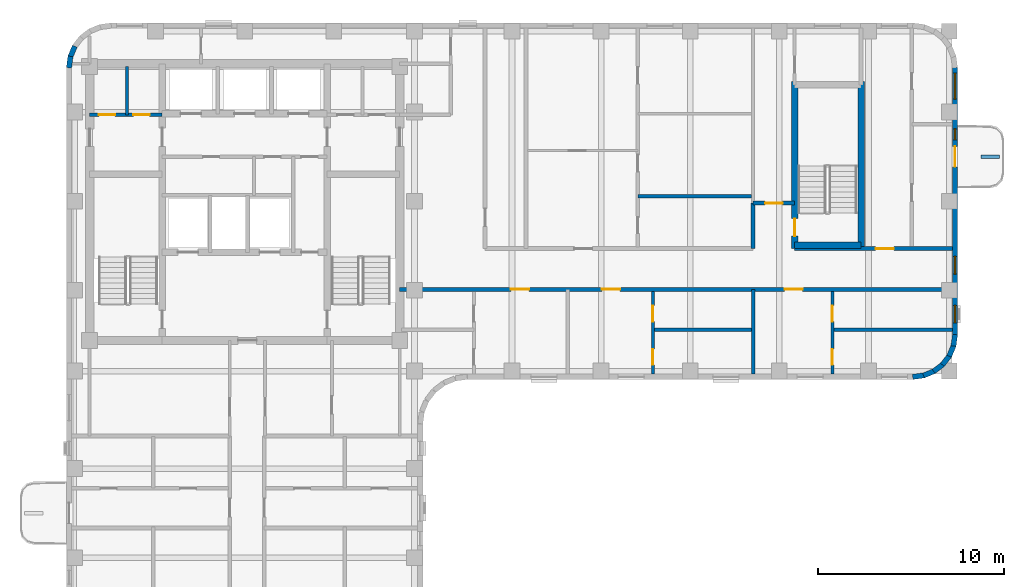
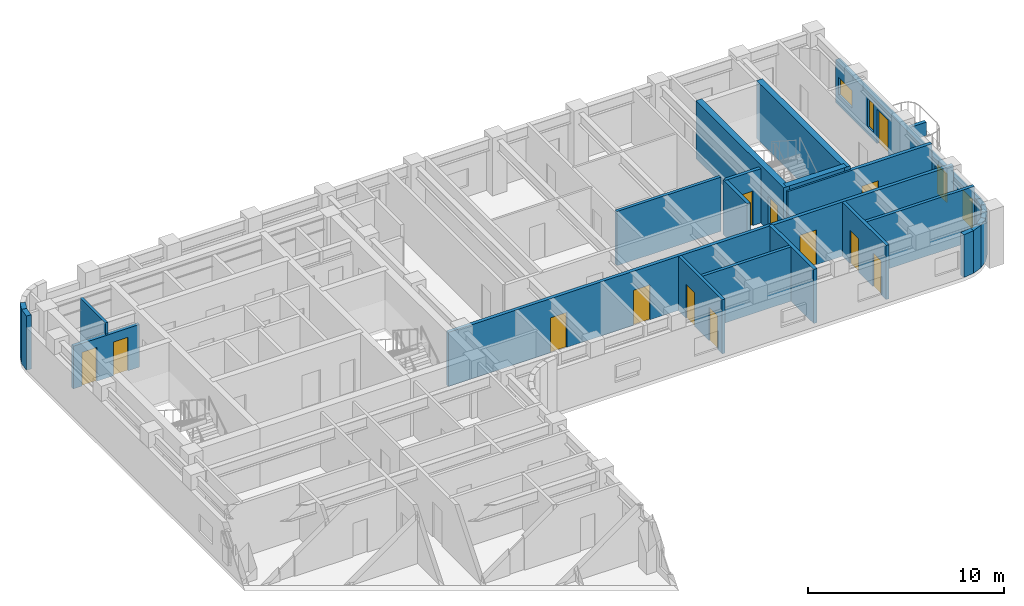
# One storey, part 7 of 12: 25 walls, 13 doors, 4 windows, 17 openings.
"""IFC4 building model written with IfcOpenShell, lengths in metres."""

from ifc_helpers import new_model, si_unit, direction, frame, frame_2d, origin, place, context, subcontext, project, spatial, rectangle, extrude, material, layer, layer_set, type_object, element, fill, save


model = new_model("IFC4")

# Units and contexts
model_context = context("Model", 3, precision=1e-05, world=origin(), true_north=direction((0.0, 1.0)))
body_context = subcontext(model_context, "Body", "Model", "MODEL_VIEW")
ifc_project = project(units=[si_unit("LENGTHUNIT", "METRE"), si_unit("AREAUNIT", "SQUARE_METRE"), si_unit("VOLUMEUNIT", "CUBIC_METRE"), si_unit("PLANEANGLEUNIT", "RADIAN"), si_unit("MASSUNIT", "GRAM", prefix="KILO")], contexts=[model_context])

# Site, building, storey
site_placement = place(None, origin())
site = spatial("IfcSite", under=ifc_project, at=site_placement, CompositionType="ELEMENT")
building_placement = place(site_placement, origin())
building = spatial("IfcBuilding", under=site, at=building_placement, Name="Orvandelia Arch Residences", CompositionType="ELEMENT")
storey_placement = place(building_placement, frame((0.0, 0.0, 214.60009765625)))
storey = spatial("IfcBuildingStorey", under=building, at=storey_placement, Name="L56", CompositionType="ELEMENT", Elevation=214.60009765625)

# Wall, opening, door
ifc_material_1 = material(Name="Concrete C50/60", Category="concrete")
ifc_layer_1 = layer(ifc_material_1, 0.35009765625, Name="Concrete C50/60", Category="concrete")
ifc_layer_set_1 = layer_set([ifc_layer_1], Name="Concrete C50/60")
wall_type_1 = type_object("IfcWallType", Name="WL-CORE-350", PredefinedType="SHEAR", material=ifc_layer_set_1)
wall_1_placement = place(storey_placement, frame((44.02001953125, 35.864990234375, 0.0), z_axis=(0.0, 0.0, 1.0), x_axis=(0.0, 1.0, 0.0)))
wall_1 = element("IfcWall", 1, at=wall_1_placement, inside=storey, type_object=wall_type_1, Name="East Stair Core Shear Wall L56-W", PredefinedType="SHEAR", context=body_context, shape_type="SweptSolid", body=[
    extrude(rectangle(XDim=8.969970703125, YDim=0.35009765625, at=frame_2d((4.48486328125, 0.0))), origin(), (0.0, 0.0, 1.0), 3.599853515625),
])
opening_1_placement = place(wall_1_placement, frame((0.64990234375, 0.0, 0.0)))
opening_1 = element("IfcOpeningElement", 2, at=opening_1_placement, cuts=wall_1, Name="Opening D7", PredefinedType="OPENING", context=body_context, shape_type="SweptSolid", body=[
    extrude(rectangle(XDim=0.949951171875, YDim=2.10009765625, at=frame_2d((0.47509765625, 1.050048828125))), frame((0.0, 0.18505859375, 0.0), z_axis=(0.0, -1.0, 0.0), x_axis=(1.0, 0.0, 0.0)), (0.0, 0.0, 1.0), 0.3701171875),
])
ifc_material_2 = material(Name="Pressurised Stairwell Fire Door")
door_type_1 = type_object("IfcDoorType", Name="DR-STAIR-950", OperationType="NOTDEFINED", PredefinedType="DOOR", material=ifc_material_2)
door_1_placement = place(opening_1_placement, origin())
door_1 = element("IfcDoor", 3, at=door_1_placement, inside=storey, type_object=door_type_1, Name="East Stairwell ST-3 Fire Door L56", OperationType="SINGLE_SWING_LEFT", OverallHeight=2.10009765625, OverallWidth=0.949951171875, PredefinedType="DOOR", context=body_context, shape_type="SweptSolid", body=[
    extrude(rectangle(XDim=0.949951171875, YDim=2.10009765625, at=frame_2d((0.47509765625, 1.050048828125))), frame((0.0, 0.02490234375, 0.0), z_axis=(0.0, -1.0, 0.0), x_axis=(1.0, 0.0, 0.0)), (0.0, 0.0, 1.0), 0.050048828125),
])
fill(opening_1, door_1)

# Walls
wall_2_placement = place(storey_placement, frame((47.60009765625, 35.864990234375, 0.0), z_axis=(0.0, 0.0, 1.0), x_axis=(0.0, 1.0, 0.0)))
element("IfcWall", 4, at=wall_2_placement, inside=storey, type_object=wall_type_1, Name="East Stair Core Shear Wall L56-E", PredefinedType="SHEAR", context=body_context, shape_type="SweptSolid", body=[
    extrude(rectangle(XDim=8.969970703125, YDim=0.35009765625, at=frame_2d((4.48486328125, 0.0))), origin(), (0.0, 0.0, 1.0), 3.599853515625),
])
wall_3_placement = place(storey_placement, frame((44.02001953125, 36.0400390625, 0.0), z_axis=(0.0, 0.0, 1.0), x_axis=(1.0, 0.0, 0.0)))
element("IfcWall", 5, at=wall_3_placement, inside=storey, type_object=wall_type_1, Name="East Stair Core Shear Wall L56-S", PredefinedType="SHEAR", context=body_context, shape_type="SweptSolid", body=[
    extrude(rectangle(XDim=3.580078125, YDim=0.35009765625, at=frame_2d((1.7900390625, 0.0))), origin(), (0.0, 0.0, 1.0), 3.599853515625),
])

# Wall, openings, doors
ifc_material_3 = material(Name="Fire-Rated Corridor Partition")
ifc_layer_2 = layer(ifc_material_3, 0.199951171875, Name="Fire-Rated Corridor Partition")
ifc_layer_set_2 = layer_set([ifc_layer_2], Name="Fire-Rated Corridor Partition")
wall_type_2 = type_object("IfcWallType", Name="WL-CORR-200", PredefinedType="PARTITIONING", material=ifc_layer_set_2)
wall_4_placement = place(storey_placement, frame((22.75, 33.64990234375, 0.0), z_axis=(0.0, 0.0, 1.0), x_axis=(1.0, 0.0, 0.0)))
wall_4 = element("IfcWall", 6, at=wall_4_placement, inside=storey, type_object=wall_type_2, Name="Interior Partition Wall WL-L56-ES-S", PredefinedType="PARTITIONING", context=body_context, shape_type="SweptSolid", body=[
    extrude(rectangle(XDim=29.77001953125, YDim=0.199951171875, at=frame_2d((14.885009765625, 0.0))), origin(), (0.0, 0.0, 1.0), 3.3798828125),
])
opening_2_placement = place(wall_4_placement, frame((5.9951171875, 0.0, 0.0)))
opening_2 = element("IfcOpeningElement", 7, at=opening_2_placement, cuts=wall_4, Name="Opening D1", PredefinedType="OPENING", context=body_context, shape_type="SweptSolid", body=[
    extrude(rectangle(XDim=0.97998046875, YDim=2.179931640625, at=frame_2d((0.489990234375, 1.08984375))), frame((0.0, 0.10986328125, 0.0), z_axis=(0.0, -1.0, 0.0), x_axis=(1.0, 0.0, 0.0)), (0.0, 0.0, 1.0), 0.219970703125),
])
opening_3_placement = place(wall_4_placement, frame((10.89599609375, 0.0, 0.0)))
opening_3 = element("IfcOpeningElement", 8, at=opening_3_placement, cuts=wall_4, Name="Opening D1", PredefinedType="OPENING", context=body_context, shape_type="SweptSolid", body=[
    extrude(rectangle(XDim=0.97998046875, YDim=2.179931640625, at=frame_2d((0.489990234375, 1.08984375))), frame((0.0, 0.10986328125, 0.0), z_axis=(0.0, -1.0, 0.0), x_axis=(1.0, 0.0, 0.0)), (0.0, 0.0, 1.0), 0.219970703125),
])
opening_4_placement = place(wall_4_placement, frame((20.72998046875, 0.0, 0.0)))
opening_4 = element("IfcOpeningElement", 9, at=opening_4_placement, cuts=wall_4, Name="Opening D1", PredefinedType="OPENING", context=body_context, shape_type="SweptSolid", body=[
    extrude(rectangle(XDim=0.97998046875, YDim=2.179931640625, at=frame_2d((0.489990234375, 1.08984375))), frame((0.0, 0.10986328125, 0.0), z_axis=(0.0, -1.0, 0.0), x_axis=(1.0, 0.0, 0.0)), (0.0, 0.0, 1.0), 0.219970703125),
])
ifc_material_4 = material(Name="Solid-Core Timber Acoustic Fire Door", Category="wood")
door_type_2 = type_object("IfcDoorType", Name="DR-ENT-980", OperationType="NOTDEFINED", PredefinedType="DOOR", material=ifc_material_4)
door_2_placement = place(opening_2_placement, origin())
door_2 = element("IfcDoor", 10, at=door_2_placement, inside=storey, type_object=door_type_2, Name="Unit L56-07 Entrance Door", OperationType="SINGLE_SWING_LEFT", OverallHeight=2.179931640625, OverallWidth=0.97998046875, PredefinedType="DOOR", context=body_context, shape_type="SweptSolid", body=[
    extrude(rectangle(XDim=0.97998046875, YDim=2.179931640625, at=frame_2d((0.489990234375, 1.08984375))), frame((0.0, 0.02490234375, 0.0), z_axis=(0.0, -1.0, 0.0), x_axis=(1.0, 0.0, 0.0)), (0.0, 0.0, 1.0), 0.050048828125),
])
fill(opening_2, door_2)
door_3_placement = place(opening_3_placement, origin())
door_3 = element("IfcDoor", 11, at=door_3_placement, inside=storey, type_object=door_type_2, Name="Unit L56-08 Entrance Door", OperationType="SINGLE_SWING_RIGHT", OverallHeight=2.179931640625, OverallWidth=0.97998046875, PredefinedType="DOOR", context=body_context, shape_type="SweptSolid", body=[
    extrude(rectangle(XDim=0.97998046875, YDim=2.179931640625, at=frame_2d((0.489990234375, 1.08984375))), frame((0.0, 0.02490234375, 0.0), z_axis=(0.0, -1.0, 0.0), x_axis=(1.0, 0.0, 0.0)), (0.0, 0.0, 1.0), 0.050048828125),
])
fill(opening_3, door_3)
door_4_placement = place(opening_4_placement, origin())
door_4 = element("IfcDoor", 12, at=door_4_placement, inside=storey, type_object=door_type_2, Name="Unit L56-09 Entrance Door", OperationType="SINGLE_SWING_LEFT", OverallHeight=2.179931640625, OverallWidth=0.97998046875, PredefinedType="DOOR", context=body_context, shape_type="SweptSolid", body=[
    extrude(rectangle(XDim=0.97998046875, YDim=2.179931640625, at=frame_2d((0.489990234375, 1.08984375))), frame((0.0, 0.02490234375, 0.0), z_axis=(0.0, -1.0, 0.0), x_axis=(1.0, 0.0, 0.0)), (0.0, 0.0, 1.0), 0.050048828125),
])
fill(opening_4, door_4)

# Wall, opening, door
wall_5_placement = place(storey_placement, frame((44.02001953125, 35.85009765625, 0.0), z_axis=(0.0, 0.0, 1.0), x_axis=(1.0, 0.0, 0.0)))
wall_5 = element("IfcWall", 13, at=wall_5_placement, inside=storey, type_object=wall_type_2, Name="Interior Partition Wall WL-L56-ES-N2", PredefinedType="PARTITIONING", context=body_context, shape_type="SweptSolid", body=[
    extrude(rectangle(XDim=8.5, YDim=0.199951171875, at=frame_2d((4.25, 0.0))), origin(), (0.0, 0.0, 1.0), 3.3798828125),
])
opening_5_placement = place(wall_5_placement, frame((4.37158203125, 0.0, 0.0)))
opening_5 = element("IfcOpeningElement", 14, at=opening_5_placement, cuts=wall_5, Name="Opening D1", PredefinedType="OPENING", context=body_context, shape_type="SweptSolid", body=[
    extrude(rectangle(XDim=0.97998046875, YDim=2.179931640625, at=frame_2d((0.489990234375, 1.08984375))), frame((0.0, 0.10986328125, 0.0), z_axis=(0.0, -1.0, 0.0), x_axis=(1.0, 0.0, 0.0)), (0.0, 0.0, 1.0), 0.219970703125),
])
door_5_placement = place(opening_5_placement, origin())
door_5 = element("IfcDoor", 15, at=door_5_placement, inside=storey, type_object=door_type_2, Name="Unit L56-11 Entrance Door", OperationType="SINGLE_SWING_LEFT", OverallHeight=2.179931640625, OverallWidth=0.97998046875, PredefinedType="DOOR", context=body_context, shape_type="SweptSolid", body=[
    extrude(rectangle(XDim=0.97998046875, YDim=2.179931640625, at=frame_2d((0.489990234375, 1.08984375))), frame((0.0, 0.02490234375, 0.0), z_axis=(0.0, -1.0, 0.0), x_axis=(1.0, 0.0, 0.0)), (0.0, 0.0, 1.0), 0.050048828125),
])
fill(opening_5, door_5)

# Wall
wall_6_placement = place(storey_placement, frame((41.780029296875, 35.85009765625, 0.0), z_axis=(0.0, 0.0, 1.0), x_axis=(0.0, 1.0, 0.0)))
element("IfcWall", 16, at=wall_6_placement, inside=storey, type_object=wall_type_2, Name="Interior Partition Wall WL-L56-ES-SW", PredefinedType="PARTITIONING", context=body_context, shape_type="SweptSolid", body=[
    extrude(rectangle(XDim=2.449951171875, YDim=0.199951171875, at=frame_2d((1.22509765625, 0.0))), origin(), (0.0, 0.0, 1.0), 3.3798828125),
])

# Wall, opening, door
wall_7_placement = place(storey_placement, frame((41.780029296875, 38.300048828125, 0.0), z_axis=(0.0, 0.0, 1.0), x_axis=(1.0, 0.0, 0.0)))
wall_7 = element("IfcWall", 17, at=wall_7_placement, inside=storey, type_object=wall_type_2, Name="Interior Partition Wall WL-L56-ES-SN", PredefinedType="PARTITIONING", context=body_context, shape_type="SweptSolid", body=[
    extrude(rectangle(XDim=2.239990234375, YDim=0.199951171875, at=frame_2d((1.1201171875, 0.0))), origin(), (0.0, 0.0, 1.0), 3.3798828125),
])
opening_6_placement = place(wall_7_placement, frame((0.64990234375, 0.0, 0.0)))
opening_6 = element("IfcOpeningElement", 18, at=opening_6_placement, cuts=wall_7, Name="Opening D2", PredefinedType="OPENING", context=body_context, shape_type="SweptSolid", body=[
    extrude(rectangle(XDim=0.949951171875, YDim=2.14990234375, at=frame_2d((0.47509765625, 1.074951171875))), frame((0.0, 0.10986328125, 0.0), z_axis=(0.0, -1.0, 0.0), x_axis=(1.0, 0.0, 0.0)), (0.0, 0.0, 1.0), 0.219970703125),
])
ifc_material_5 = material(Name="Solid-Core Timber Interior Fire Door", Category="wood")
door_type_3 = type_object("IfcDoorType", Name="DR-APT-950", OperationType="NOTDEFINED", PredefinedType="DOOR", material=ifc_material_5)
door_6_placement = place(opening_6_placement, origin())
door_6 = element("IfcDoor", 19, at=door_6_placement, inside=storey, type_object=door_type_3, Name="DR-L56-ESSPK", OperationType="SINGLE_SWING_LEFT", OverallHeight=2.14990234375, OverallWidth=0.949951171875, PredefinedType="DOOR", context=body_context, shape_type="SweptSolid", body=[
    extrude(rectangle(XDim=0.949951171875, YDim=2.14990234375, at=frame_2d((0.47509765625, 1.074951171875))), frame((0.0, 0.02490234375, 0.0), z_axis=(0.0, -1.0, 0.0), x_axis=(1.0, 0.0, 0.0)), (0.0, 0.0, 1.0), 0.050048828125),
])
fill(opening_6, door_6)

# Walls
ifc_material_6 = material(Name="Concrete C40/50", Category="concrete")
ifc_layer_3 = layer(ifc_material_6, 0.199951171875, Name="Concrete C40/50", Category="concrete")
ifc_layer_set_3 = layer_set([ifc_layer_3], Name="Concrete C40/50")
wall_type_3 = type_object("IfcWallType", Name="WL-DEM-200", PredefinedType="SOLIDWALL", material=ifc_layer_set_3)
wall_8_placement = place(storey_placement, frame((41.800048828125, 29.080078125, 0.0), z_axis=(0.0, 0.0, 1.0), x_axis=(0.0, 1.0, 0.0)))
element("IfcWall", 20, at=wall_8_placement, inside=storey, type_object=wall_type_3, Name="Interior Partition Wall WL-L56-DEM-ESS-418", PredefinedType="SOLIDWALL", context=body_context, shape_type="SweptSolid", body=[
    extrude(rectangle(XDim=4.56982421875, YDim=0.199951171875, at=frame_2d((2.284912109375, 0.0))), origin(), (0.0, 0.0, 1.0), 3.3798828125),
])
ifc_material_7 = material(Name="Precast concrete C40/50", Category="concrete")
ifc_layer_4 = layer(ifc_material_7, 0.280029296875, Name="Precast concrete C40/50", Category="concrete")
ifc_layer_set_4 = layer_set([ifc_layer_4], Name="Precast concrete C40/50")
wall_type_4 = type_object("IfcWallType", Name="WL-EXT-STONE-280", PredefinedType="STANDARD", material=ifc_layer_set_4)
for number, where, z_axis, x_axis, name in (
    (21, (4.938720703125, 45.581787109375, 0.0), (0.0, 0.0, 1.0), (0.130555323746, 0.9914410257, 0.0), "Coral-Limestone Precast Facade Wall L56-001"),
    (22, (5.010986328125, 46.16748046875, 0.0), (0.0, 0.0, 1.0), (0.382650053678, 0.92389335771, 0.0), "Coral-Limestone Precast Facade Wall L56-002"),
):
    element("IfcWall", number, at=place(storey_placement, frame(where, z_axis=z_axis, x_axis=x_axis)), inside=storey, type_object=wall_type_4, Name=name, PredefinedType="STANDARD", context=body_context, shape_type="SweptSolid", body=[
        extrude(rectangle(XDim=0.62646484375, YDim=0.280029296875, at=frame_2d((0.313232421875, 0.0))), origin(), (0.0, 0.0, 1.0), 3.3798828125),
    ])

# Wall, openings, door, windows
wall_9_placement = place(storey_placement, frame((52.659912109375, 45.60009765625, 0.0), z_axis=(0.0, 0.0, 1.0), x_axis=(0.0, -1.0, 0.0)))
wall_9 = element("IfcWall", 23, at=wall_9_placement, inside=storey, type_object=wall_type_4, Name="Coral-Limestone Precast Facade Wall L56-014", PredefinedType="STANDARD", context=body_context, shape_type="SweptSolid", body=[
    extrude(rectangle(XDim=14.400146484375, YDim=0.280029296875, at=frame_2d((7.2001953125, 0.0))), origin(), (0.0, 0.0, 1.0), 2.659912109375),
])
opening_7_placement = place(wall_9_placement, frame((4.25, 0.0, 0.0)))
opening_7 = element("IfcOpeningElement", 24, at=opening_7_placement, cuts=wall_9, Name="Opening BD1", PredefinedType="OPENING", context=body_context, shape_type="SweptSolid", body=[
    extrude(rectangle(XDim=1.10009765625, YDim=2.14990234375, at=frame_2d((0.550048828125, 1.074951171875))), frame((0.0, 0.14990234375, 0.0), z_axis=(0.0, -1.0, 0.0), x_axis=(1.0, 0.0, 0.0)), (0.0, 0.0, 1.0), 0.300048828125),
])
opening_8_placement = place(wall_9_placement, frame((10.177490234375, 0.0, 0.449951171875)))
opening_8 = element("IfcOpeningElement", 25, at=opening_8_placement, cuts=wall_9, Name="Opening W4", PredefinedType="OPENING", context=body_context, shape_type="SweptSolid", body=[
    extrude(rectangle(XDim=0.949951171875, YDim=1.800048828125, at=frame_2d((0.47509765625, 0.89990234375))), frame((0.0, 0.14990234375, 0.0), z_axis=(0.0, -1.0, 0.0), x_axis=(1.0, 0.0, 0.0)), (0.0, 0.0, 1.0), 0.300048828125),
])
opening_9_placement = place(wall_9_placement, frame((12.804931640625, 0.0, 0.449951171875)))
opening_9 = element("IfcOpeningElement", 26, at=opening_9_placement, cuts=wall_9, Name="Opening W4", PredefinedType="OPENING", context=body_context, shape_type="SweptSolid", body=[
    extrude(rectangle(XDim=0.949951171875, YDim=1.800048828125, at=frame_2d((0.47509765625, 0.89990234375))), frame((0.0, 0.14990234375, 0.0), z_axis=(0.0, -1.0, 0.0), x_axis=(1.0, 0.0, 0.0)), (0.0, 0.0, 1.0), 0.300048828125),
])
opening_10_placement = place(wall_9_placement, frame((0.3076171875, 0.0, 0.64990234375)))
opening_10 = element("IfcOpeningElement", 27, at=opening_10_placement, cuts=wall_9, Name="Opening W10", PredefinedType="OPENING", context=body_context, shape_type="SweptSolid", body=[
    extrude(rectangle(XDim=1.39990234375, YDim=1.10009765625, at=frame_2d((0.699951171875, 0.550048828125))), frame((0.0, 0.14990234375, 0.0), z_axis=(0.0, -1.0, 0.0), x_axis=(1.0, 0.0, 0.0)), (0.0, 0.0, 1.0), 0.300048828125),
])
opening_11_placement = place(wall_9_placement, frame((3.299072265625, 0.0, 0.449951171875)))
opening_11 = element("IfcOpeningElement", 28, at=opening_11_placement, cuts=wall_9, Name="Opening W12", PredefinedType="OPENING", context=body_context, shape_type="SweptSolid", body=[
    extrude(rectangle(XDim=0.60009765625, YDim=1.800048828125, at=frame_2d((0.300048828125, 0.89990234375))), frame((0.0, 0.14990234375, 0.0), z_axis=(0.0, -1.0, 0.0), x_axis=(1.0, 0.0, 0.0)), (0.0, 0.0, 1.0), 0.300048828125),
])
ifc_material_8 = material(Name="Thermally Broken Aluminium Glazed Door", Category="aluminium")
door_type_4 = type_object("IfcDoorType", Name="DR-BAL-GLAZ-1100", OperationType="NOTDEFINED", PredefinedType="DOOR", material=ifc_material_8)
door_7_placement = place(opening_7_placement, origin())
door_7 = element("IfcDoor", 29, at=door_7_placement, inside=storey, type_object=door_type_4, Name="Tree Balcony Glazed Door BAL-L56-E1", OperationType="SINGLE_SWING_LEFT", OverallHeight=2.14990234375, OverallWidth=1.10009765625, PredefinedType="DOOR", context=body_context, shape_type="SweptSolid", body=[
    extrude(rectangle(XDim=1.10009765625, YDim=2.14990234375, at=frame_2d((0.550048828125, 1.074951171875))), frame((0.0, 0.02490234375, 0.0), z_axis=(0.0, -1.0, 0.0), x_axis=(1.0, 0.0, 0.0)), (0.0, 0.0, 1.0), 0.050048828125),
])
fill(opening_7, door_7)
ifc_material_9 = material(Name="Tempered Low-E Insulated Glazing", Category="glass")
window_type_1 = type_object("IfcWindowType", Name="WIN-CLR-1400x1100", PartitioningType="SINGLE_PANEL", PredefinedType="WINDOW", material=ifc_material_9)
window_1_placement = place(opening_10_placement, origin())
window_1 = element("IfcWindow", 30, at=window_1_placement, inside=storey, type_object=window_type_1, Name="Recessed Punched Window L56-010", OverallHeight=1.10009765625, OverallWidth=1.39990234375, PartitioningType="SINGLE_PANEL", PredefinedType="WINDOW", context=body_context, shape_type="SweptSolid", body=[
    extrude(rectangle(XDim=1.39990234375, YDim=1.10009765625, at=frame_2d((0.699951171875, 0.550048828125))), frame((0.0, 0.030029296875, 0.0), z_axis=(0.0, -1.0, 0.0), x_axis=(1.0, 0.0, 0.0)), (0.0, 0.0, 1.0), 0.06005859375),
])
fill(opening_10, window_1)
window_type_2 = type_object("IfcWindowType", Name="WIN-LAN-0600x1800", PartitioningType="SINGLE_PANEL", PredefinedType="WINDOW", material=ifc_material_9)
window_2_placement = place(opening_11_placement, origin())
window_2 = element("IfcWindow", 31, at=window_2_placement, inside=storey, type_object=window_type_2, Name="Recessed Punched Window L56-011", OverallHeight=1.800048828125, OverallWidth=0.60009765625, PartitioningType="SINGLE_PANEL", PredefinedType="WINDOW", context=body_context, shape_type="SweptSolid", body=[
    extrude(rectangle(XDim=0.60009765625, YDim=1.800048828125, at=frame_2d((0.300048828125, 0.89990234375))), frame((0.0, 0.030029296875, 0.0), z_axis=(0.0, -1.0, 0.0), x_axis=(1.0, 0.0, 0.0)), (0.0, 0.0, 1.0), 0.06005859375),
])
fill(opening_11, window_2)
window_type_3 = type_object("IfcWindowType", Name="WIN-RES-0950x1800", PartitioningType="SINGLE_PANEL", PredefinedType="WINDOW", material=ifc_material_9)
window_3_placement = place(opening_8_placement, origin())
window_3 = element("IfcWindow", 32, at=window_3_placement, inside=storey, type_object=window_type_3, Name="Recessed Punched Window L56-008", OverallHeight=1.800048828125, OverallWidth=0.949951171875, PartitioningType="SINGLE_PANEL", PredefinedType="WINDOW", context=body_context, shape_type="SweptSolid", body=[
    extrude(rectangle(XDim=0.949951171875, YDim=1.800048828125, at=frame_2d((0.47509765625, 0.89990234375))), frame((0.0, 0.030029296875, 0.0), z_axis=(0.0, -1.0, 0.0), x_axis=(1.0, 0.0, 0.0)), (0.0, 0.0, 1.0), 0.06005859375),
])
fill(opening_8, window_3)
window_4_placement = place(opening_9_placement, origin())
window_4 = element("IfcWindow", 33, at=window_4_placement, inside=storey, type_object=window_type_3, Name="Recessed Punched Window L56-009", OverallHeight=1.800048828125, OverallWidth=0.949951171875, PartitioningType="SINGLE_PANEL", PredefinedType="WINDOW", context=body_context, shape_type="SweptSolid", body=[
    extrude(rectangle(XDim=0.949951171875, YDim=1.800048828125, at=frame_2d((0.47509765625, 0.89990234375))), frame((0.0, 0.030029296875, 0.0), z_axis=(0.0, -1.0, 0.0), x_axis=(1.0, 0.0, 0.0)), (0.0, 0.0, 1.0), 0.06005859375),
])
fill(opening_9, window_4)

# Walls
wall_10_placement = place(storey_placement, frame((52.6611328125, 31.21826171875, 0.0), z_axis=(0.0, 0.0, 1.0), x_axis=(-0.130555323746, -0.9914410257, 0.0)))
element("IfcWall", 34, at=wall_10_placement, inside=storey, type_object=wall_type_4, Name="Coral-Limestone Precast Facade Wall L56-015", PredefinedType="STANDARD", context=body_context, shape_type="SweptSolid", body=[
    extrude(rectangle(XDim=0.62646484375, YDim=0.280029296875, at=frame_2d((0.313232421875, 0.0))), origin(), (0.0, 0.0, 1.0), 2.659912109375),
])
wall_11_placement = place(storey_placement, frame((52.5888671875, 30.63232421875, 0.0), z_axis=(0.0, 0.0, 1.0), x_axis=(-0.382787856107, -0.923836271867, 0.0)))
element("IfcWall", 35, at=wall_11_placement, inside=storey, type_object=wall_type_4, Name="Coral-Limestone Precast Facade Wall L56-016", PredefinedType="STANDARD", context=body_context, shape_type="SweptSolid", body=[
    extrude(rectangle(XDim=0.626220703125, YDim=0.280029296875, at=frame_2d((0.31298828125, 0.0))), origin(), (0.0, 0.0, 1.0), 2.659912109375),
])
for number, where, z_axis, x_axis, name in (
    (36, (52.367431640625, 30.085205078125, 0.0), (0.0, 0.0, 1.0), (-0.608693302629, -0.793405610854, 0.0), "Coral-Limestone Precast Facade Wall L56-017"),
    (37, (52.011962890625, 29.614013671875, 0.0), (0.0, 0.0, 1.0), (-0.793405610854, -0.608693302629, 0.0), "Coral-Limestone Precast Facade Wall L56-018"),
    (38, (51.54638671875, 29.250732421875, 0.0), (0.0, 0.0, 1.0), (-0.92389335771, -0.382650053678, 0.0), "Coral-Limestone Precast Facade Wall L56-019"),
):
    element("IfcWall", number, at=place(storey_placement, frame(where, z_axis=z_axis, x_axis=x_axis)), inside=storey, type_object=wall_type_4, Name=name, PredefinedType="STANDARD", context=body_context, shape_type="SweptSolid", body=[
        extrude(rectangle(XDim=0.62646484375, YDim=0.280029296875, at=frame_2d((0.313232421875, 0.0))), origin(), (0.0, 0.0, 1.0), 2.659912109375),
    ])
wall_12_placement = place(storey_placement, frame((51.0029296875, 29.0205078125, 0.0), z_axis=(0.0, 0.0, 1.0), x_axis=(-0.991447664465, -0.130504898859, 0.0)))
element("IfcWall", 39, at=wall_12_placement, inside=storey, type_object=wall_type_4, Name="Coral-Limestone Precast Facade Wall L56-020", PredefinedType="STANDARD", context=body_context, shape_type="SweptSolid", body=[
    extrude(rectangle(XDim=0.626708984375, YDim=0.280029296875, at=frame_2d((0.3134765625, 0.0))), origin(), (0.0, 0.0, 1.0), 2.659912109375),
])
ifc_material_10 = material(Name="Acoustic Gypsum Stud Partition")
ifc_layer_5 = layer(ifc_material_10, 0.14990234375, Name="Acoustic Gypsum Stud Partition")
ifc_layer_set_5 = layer_set([ifc_layer_5], Name="Acoustic Gypsum Stud Partition")
wall_type_5 = type_object("IfcWallType", Name="WL-PART-150", PredefinedType="PARTITIONING", material=ifc_layer_set_5)
wall_13_placement = place(storey_placement, frame((8.06005859375, 43.050048828125, 0.0), z_axis=(0.0, 0.0, 1.0), x_axis=(0.0, 1.0, 0.0)))
element("IfcWall", 40, at=wall_13_placement, inside=storey, type_object=wall_type_5, Name="Interior Partition Wall WL-L56-CRELC-M", PredefinedType="PARTITIONING", context=body_context, shape_type="SweptSolid", body=[
    extrude(rectangle(XDim=2.599853515625, YDim=0.14990234375, at=frame_2d((1.2998046875, 0.0))), origin(), (0.0, 0.0, 1.0), 3.3798828125),
])
ifc_layer_6 = layer(ifc_material_7, 0.199951171875, Name="Precast concrete C40/50", Category="concrete")
ifc_layer_set_6 = layer_set([ifc_layer_6], Name="Precast concrete C40/50")
wall_type_6 = type_object("IfcWallType", Name="WL-PLANTER-200", PredefinedType="MOVABLE", material=ifc_layer_set_6)
wall_14_placement = place(storey_placement, frame((54.050048828125, 40.800048828125, 0.0), z_axis=(0.0, 0.0, 1.0), x_axis=(1.0, 0.0, 0.0)))
element("IfcWall", 41, at=wall_14_placement, inside=storey, type_object=wall_type_6, Name="Balcony Precast Tree Planter BAL-L56-E1", PredefinedType="MOVABLE", context=body_context, shape_type="SweptSolid", body=[
    extrude(rectangle(XDim=1.0, YDim=0.199951171875, at=frame_2d((0.5, 0.0))), origin(), (0.0, 0.0, 1.0), 0.849853515625),
])

# Wall, openings, doors
ifc_material_11 = material(Name="Fire-Rated Shaft Enclosure Wall")
ifc_layer_7 = layer(ifc_material_11, 0.199951171875, Name="Fire-Rated Shaft Enclosure Wall")
ifc_layer_set_7 = layer_set([ifc_layer_7], Name="Fire-Rated Shaft Enclosure Wall")
wall_type_7 = type_object("IfcWallType", Name="WL-SHAFT-200", PredefinedType="POLYGONAL", material=ifc_layer_set_7)
wall_15_placement = place(storey_placement, frame((6.050048828125, 43.050048828125, 0.0), z_axis=(0.0, 0.0, 1.0), x_axis=(1.0, 0.0, 0.0)))
wall_15 = element("IfcWall", 42, at=wall_15_placement, inside=storey, type_object=wall_type_7, Name="Interior Partition Wall WL-L56-HLW-N", PredefinedType="POLYGONAL", context=body_context, shape_type="SweptSolid", body=[
    extrude(rectangle(XDim=3.909912109375, YDim=0.199951171875, at=frame_2d((1.955078125, 0.0))), origin(), (0.0, 0.0, 1.0), 2.659912109375),
])
opening_12_placement = place(wall_15_placement, frame((0.5, 0.0, 0.0)))
opening_12 = element("IfcOpeningElement", 43, at=opening_12_placement, cuts=wall_15, Name="Opening D5", PredefinedType="OPENING", context=body_context, shape_type="SweptSolid", body=[
    extrude(rectangle(XDim=0.8798828125, YDim=2.10009765625, at=frame_2d((0.43994140625, 1.050048828125))), frame((0.0, 0.10986328125, 0.0), z_axis=(0.0, -1.0, 0.0), x_axis=(1.0, 0.0, 0.0)), (0.0, 0.0, 1.0), 0.219970703125),
])
opening_13_placement = place(wall_15_placement, frame((2.35009765625, 0.0, 0.0)))
opening_13 = element("IfcOpeningElement", 44, at=opening_13_placement, cuts=wall_15, Name="Opening D5", PredefinedType="OPENING", context=body_context, shape_type="SweptSolid", body=[
    extrude(rectangle(XDim=0.8798828125, YDim=2.10009765625, at=frame_2d((0.43994140625, 1.050048828125))), frame((0.0, 0.10986328125, 0.0), z_axis=(0.0, -1.0, 0.0), x_axis=(1.0, 0.0, 0.0)), (0.0, 0.0, 1.0), 0.219970703125),
])
ifc_material_12 = material(Name="Painted Galvanised Steel Service Door", Category="steel")
door_type_5 = type_object("IfcDoorType", Name="DR-SRV-880", OperationType="NOTDEFINED", PredefinedType="DOOR", material=ifc_material_12)
door_8_placement = place(opening_12_placement, origin())
door_8 = element("IfcDoor", 45, at=door_8_placement, inside=storey, type_object=door_type_5, Name="DR-L56-CRELC1", OperationType="SINGLE_SWING_LEFT", OverallHeight=2.10009765625, OverallWidth=0.8798828125, PredefinedType="DOOR", context=body_context, shape_type="SweptSolid", body=[
    extrude(rectangle(XDim=0.8798828125, YDim=2.10009765625, at=frame_2d((0.43994140625, 1.050048828125))), frame((0.0, 0.02490234375, 0.0), z_axis=(0.0, -1.0, 0.0), x_axis=(1.0, 0.0, 0.0)), (0.0, 0.0, 1.0), 0.050048828125),
])
fill(opening_12, door_8)
door_9_placement = place(opening_13_placement, origin())
door_9 = element("IfcDoor", 46, at=door_9_placement, inside=storey, type_object=door_type_5, Name="DR-L56-CRELC2", OperationType="SINGLE_SWING_RIGHT", OverallHeight=2.10009765625, OverallWidth=0.8798828125, PredefinedType="DOOR", context=body_context, shape_type="SweptSolid", body=[
    extrude(rectangle(XDim=0.8798828125, YDim=2.10009765625, at=frame_2d((0.43994140625, 1.050048828125))), frame((0.0, 0.02490234375, 0.0), z_axis=(0.0, -1.0, 0.0), x_axis=(1.0, 0.0, 0.0)), (0.0, 0.0, 1.0), 0.050048828125),
])
fill(opening_13, door_9)

ifc_material_13 = material(Name="Moisture-Resistant Plumbing Wall")
ifc_layer_8 = layer(ifc_material_13, 0.179931640625, Name="Moisture-Resistant Plumbing Wall")
ifc_layer_set_8 = layer_set([ifc_layer_8], Name="Moisture-Resistant Plumbing Wall")
wall_type_8 = type_object("IfcWallType", Name="WL-WET-180", PredefinedType="PLUMBINGWALL", material=ifc_layer_set_8)
wall_16_placement = place(storey_placement, frame((36.39208984375, 29.080078125, 0.0), z_axis=(0.0, 0.0, 1.0), x_axis=(0.0, 1.0, 0.0)))
wall_16 = element("IfcWall", 47, at=wall_16_placement, inside=storey, type_object=wall_type_8, Name="Interior Partition Wall WL-L56-U08-VT", PredefinedType="PLUMBINGWALL", context=body_context, shape_type="SweptSolid", body=[
    extrude(rectangle(XDim=4.469970703125, YDim=0.179931640625, at=frame_2d((2.23486328125, 0.0))), origin(), (0.0, 0.0, 1.0), 3.3798828125),
])
opening_14_placement = place(wall_16_placement, frame((0.498779296875, 0.0, 0.0)))
opening_14 = element("IfcOpeningElement", 48, at=opening_14_placement, cuts=wall_16, Name="Opening D4", PredefinedType="OPENING", context=body_context, shape_type="SweptSolid", body=[
    extrude(rectangle(XDim=0.860107421875, YDim=2.10009765625, at=frame_2d((0.43017578125, 1.050048828125))), frame((0.0, 0.10009765625, 0.0), z_axis=(0.0, -1.0, 0.0), x_axis=(1.0, 0.0, 0.0)), (0.0, 0.0, 1.0), 0.199951171875),
])
opening_15_placement = place(wall_16_placement, frame((2.839111328125, 0.0, 0.0)))
opening_15 = element("IfcOpeningElement", 49, at=opening_15_placement, cuts=wall_16, Name="Opening D4", PredefinedType="OPENING", context=body_context, shape_type="SweptSolid", body=[
    extrude(rectangle(XDim=0.860107421875, YDim=2.10009765625, at=frame_2d((0.43017578125, 1.050048828125))), frame((0.0, 0.10009765625, 0.0), z_axis=(0.0, -1.0, 0.0), x_axis=(1.0, 0.0, 0.0)), (0.0, 0.0, 1.0), 0.199951171875),
])
ifc_material_14 = material(Name="Moisture-Sealed Timber Bathroom Door", Category="wood")
door_type_6 = type_object("IfcDoorType", Name="DR-WET-900", OperationType="NOTDEFINED", PredefinedType="DOOR", material=ifc_material_14)
door_10_placement = place(opening_14_placement, origin())
door_10 = element("IfcDoor", 50, at=door_10_placement, inside=storey, type_object=door_type_6, Name="DR-L56-U08-KIT", OperationType="SINGLE_SWING_RIGHT", OverallHeight=2.10009765625, OverallWidth=0.860107421875, PredefinedType="DOOR", context=body_context, shape_type="SweptSolid", body=[
    extrude(rectangle(XDim=0.860107421875, YDim=2.10009765625, at=frame_2d((0.43017578125, 1.050048828125))), frame((0.0, 0.02490234375, 0.0), z_axis=(0.0, -1.0, 0.0), x_axis=(1.0, 0.0, 0.0)), (0.0, 0.0, 1.0), 0.050048828125),
])
fill(opening_14, door_10)
door_11_placement = place(opening_15_placement, origin())
door_11 = element("IfcDoor", 51, at=door_11_placement, inside=storey, type_object=door_type_6, Name="DR-L56-U08-BTH", OperationType="SINGLE_SWING_LEFT", OverallHeight=2.10009765625, OverallWidth=0.860107421875, PredefinedType="DOOR", context=body_context, shape_type="SweptSolid", body=[
    extrude(rectangle(XDim=0.860107421875, YDim=2.10009765625, at=frame_2d((0.43017578125, 1.050048828125))), frame((0.0, 0.02490234375, 0.0), z_axis=(0.0, -1.0, 0.0), x_axis=(1.0, 0.0, 0.0)), (0.0, 0.0, 1.0), 0.050048828125),
])
fill(opening_15, door_11)

# Wall
wall_17_placement = place(storey_placement, frame((36.39208984375, 31.485107421875, 0.0), z_axis=(0.0, 0.0, 1.0), x_axis=(1.0, 0.0, 0.0)))
element("IfcWall", 52, at=wall_17_placement, inside=storey, type_object=wall_type_8, Name="Interior Partition Wall WL-L56-U08-H1", PredefinedType="PLUMBINGWALL", context=body_context, shape_type="SweptSolid", body=[
    extrude(rectangle(XDim=5.407958984375, YDim=0.179931640625, at=frame_2d((2.7041015625, 0.0))), origin(), (0.0, 0.0, 1.0), 3.3798828125),
])

# Wall, openings, doors
wall_18_placement = place(storey_placement, frame((46.06005859375, 29.080078125, 0.0), z_axis=(0.0, 0.0, 1.0), x_axis=(0.0, 1.0, 0.0)))
wall_18 = element("IfcWall", 53, at=wall_18_placement, inside=storey, type_object=wall_type_8, Name="Interior Partition Wall WL-L56-U09-VT", PredefinedType="PLUMBINGWALL", context=body_context, shape_type="SweptSolid", body=[
    extrude(rectangle(XDim=4.469970703125, YDim=0.179931640625, at=frame_2d((2.23486328125, 0.0))), origin(), (0.0, 0.0, 1.0), 3.3798828125),
])
opening_16_placement = place(wall_18_placement, frame((0.498779296875, 0.0, 0.0)))
opening_16 = element("IfcOpeningElement", 54, at=opening_16_placement, cuts=wall_18, Name="Opening D4", PredefinedType="OPENING", context=body_context, shape_type="SweptSolid", body=[
    extrude(rectangle(XDim=0.860107421875, YDim=2.10009765625, at=frame_2d((0.43017578125, 1.050048828125))), frame((0.0, 0.10009765625, 0.0), z_axis=(0.0, -1.0, 0.0), x_axis=(1.0, 0.0, 0.0)), (0.0, 0.0, 1.0), 0.199951171875),
])
opening_17_placement = place(wall_18_placement, frame((2.839111328125, 0.0, 0.0)))
opening_17 = element("IfcOpeningElement", 55, at=opening_17_placement, cuts=wall_18, Name="Opening D4", PredefinedType="OPENING", context=body_context, shape_type="SweptSolid", body=[
    extrude(rectangle(XDim=0.860107421875, YDim=2.10009765625, at=frame_2d((0.43017578125, 1.050048828125))), frame((0.0, 0.10009765625, 0.0), z_axis=(0.0, -1.0, 0.0), x_axis=(1.0, 0.0, 0.0)), (0.0, 0.0, 1.0), 0.199951171875),
])
door_12_placement = place(opening_16_placement, origin())
door_12 = element("IfcDoor", 56, at=door_12_placement, inside=storey, type_object=door_type_6, Name="DR-L56-U09-KIT", OperationType="SINGLE_SWING_LEFT", OverallHeight=2.10009765625, OverallWidth=0.860107421875, PredefinedType="DOOR", context=body_context, shape_type="SweptSolid", body=[
    extrude(rectangle(XDim=0.860107421875, YDim=2.10009765625, at=frame_2d((0.43017578125, 1.050048828125))), frame((0.0, 0.02490234375, 0.0), z_axis=(0.0, -1.0, 0.0), x_axis=(1.0, 0.0, 0.0)), (0.0, 0.0, 1.0), 0.050048828125),
])
fill(opening_16, door_12)
door_13_placement = place(opening_17_placement, origin())
door_13 = element("IfcDoor", 57, at=door_13_placement, inside=storey, type_object=door_type_6, Name="DR-L56-U09-BTH", OperationType="SINGLE_SWING_RIGHT", OverallHeight=2.10009765625, OverallWidth=0.860107421875, PredefinedType="DOOR", context=body_context, shape_type="SweptSolid", body=[
    extrude(rectangle(XDim=0.860107421875, YDim=2.10009765625, at=frame_2d((0.43017578125, 1.050048828125))), frame((0.0, 0.02490234375, 0.0), z_axis=(0.0, -1.0, 0.0), x_axis=(1.0, 0.0, 0.0)), (0.0, 0.0, 1.0), 0.050048828125),
])
fill(opening_17, door_13)

# Walls
wall_19_placement = place(storey_placement, frame((46.06005859375, 31.485107421875, 0.0), z_axis=(0.0, 0.0, 1.0), x_axis=(1.0, 0.0, 0.0)))
element("IfcWall", 58, at=wall_19_placement, inside=storey, type_object=wall_type_8, Name="Interior Partition Wall WL-L56-U09-H1", PredefinedType="PLUMBINGWALL", context=body_context, shape_type="SweptSolid", body=[
    extrude(rectangle(XDim=6.4599609375, YDim=0.179931640625, at=frame_2d((3.22998046875, 0.0))), origin(), (0.0, 0.0, 1.0), 3.3798828125),
])
wall_20_placement = place(storey_placement, frame((35.576904296875, 38.659912109375, 0.0), z_axis=(0.0, 0.0, 1.0), x_axis=(1.0, 0.0, 0.0)))
element("IfcWall", 59, at=wall_20_placement, inside=storey, type_object=wall_type_8, Name="Interior Partition Wall WL-L56-U10-H1", PredefinedType="PLUMBINGWALL", context=body_context, shape_type="SweptSolid", body=[
    extrude(rectangle(XDim=6.123046875, YDim=0.179931640625, at=frame_2d((3.0615234375, 0.0))), origin(), (0.0, 0.0, 1.0), 3.3798828125),
])

save(model, "model.ifc")
